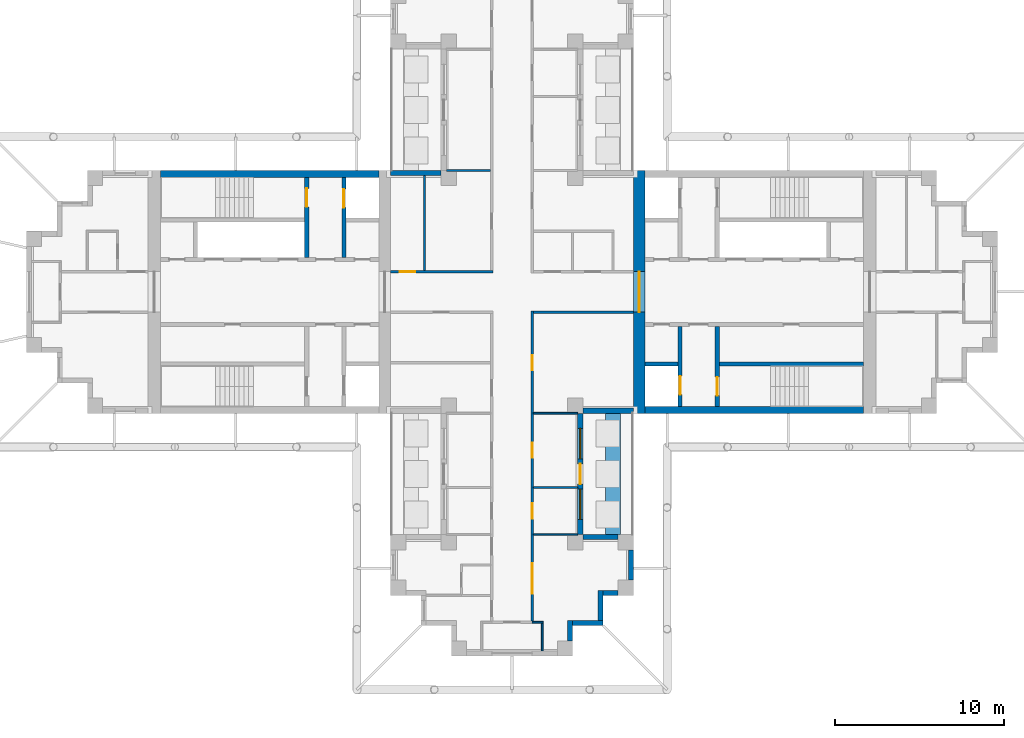
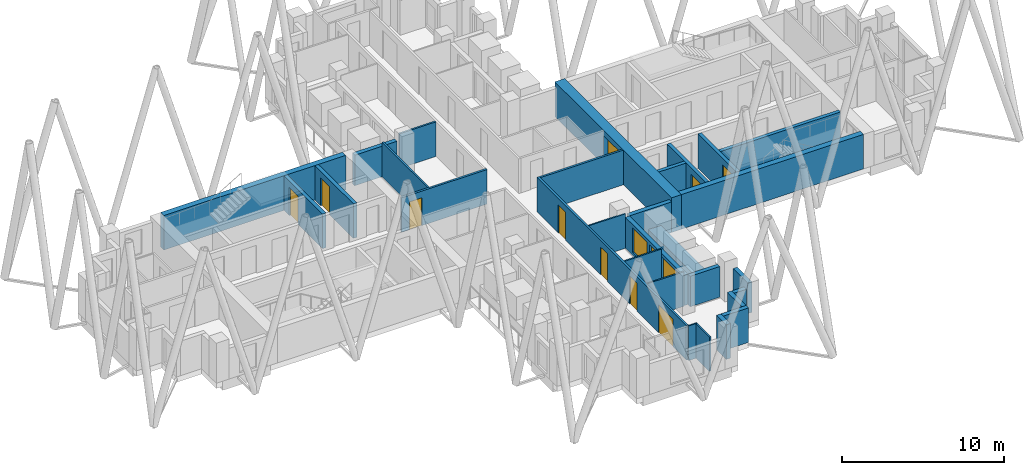
# One storey, part 5 of 11: 29 walls, 11 doors, 2 windows, 13 openings.
"""IFC4 building model written with IfcOpenShell, lengths in metres."""

from ifc_helpers import new_model, si_unit, direction, frame, frame_2d, origin, place, context, subcontext, project, spatial, rectangle, extrude, material, layer, layer_set, type_object, element, fill, save


model = new_model("IFC4")

# Units and contexts
model_context = context("Model", 3, precision=1e-05, world=origin(), true_north=direction((0.0, 1.0)))
body_context = subcontext(model_context, "Body", "Model", "MODEL_VIEW")
ifc_project = project(units=[si_unit("LENGTHUNIT", "METRE"), si_unit("AREAUNIT", "SQUARE_METRE"), si_unit("VOLUMEUNIT", "CUBIC_METRE"), si_unit("PLANEANGLEUNIT", "RADIAN"), si_unit("MASSUNIT", "GRAM", prefix="KILO")], contexts=[model_context])

# Site, building, storey
site_placement = place(None, origin())
site = spatial("IfcSite", under=ifc_project, at=site_placement, CompositionType="ELEMENT")
building_placement = place(site_placement, origin())
building = spatial("IfcBuilding", under=site, at=building_placement, Name="Fustian Cross Tower", CompositionType="ELEMENT")
storey_placement = place(building_placement, frame((0.0, 0.0, 222.89990234375)))
storey = spatial("IfcBuildingStorey", under=building, at=storey_placement, Name="L70", CompositionType="ELEMENT", Elevation=222.89990234375)

# Wall, opening, door
ifc_material_1 = material(Name="Plasterboard on steel stud", Category="steel")
ifc_layer_1 = layer(ifc_material_1, 0.14990234375)
ifc_layer_set_1 = layer_set([ifc_layer_1], Name="Plasterboard on steel stud")
wall_type_1 = type_object("IfcWallType", Name="COMPARTMENT WALL 150 EI 60", PredefinedType="PARTITIONING", material=ifc_layer_set_1)
wall_1_placement = place(storey_placement, frame((-7.199951171875, 1.199951171875, 0.0), z_axis=(0.0, 0.0, 1.0), x_axis=(1.0, 0.0, 0.0)))
wall_1 = element("IfcWall", 1, at=wall_1_placement, inside=storey, type_object=wall_type_1, Name="Partition 13", PredefinedType="PARTITIONING", context=body_context, shape_type="SweptSolid", body=[
    extrude(rectangle(XDim=6.074951171875, YDim=0.14990234375, at=frame_2d((3.03759765625, 0.0))), origin(), (0.0, 0.0, 1.0), 2.60009765625),
])
opening_1_placement = place(wall_1_placement, frame((0.550048828125, 0.0, 0.0)))
opening_1 = element("IfcOpeningElement", 2, at=opening_1_placement, cuts=wall_1, Name="Opening D31005", PredefinedType="OPENING", context=body_context, shape_type="SweptSolid", body=[
    extrude(rectangle(XDim=0.89990234375, YDim=2.10009765625, at=frame_2d((0.449951171875, 1.050048828125))), frame((0.0, 0.0849609375, 0.0), z_axis=(0.0, -1.0, 0.0), x_axis=(1.0, 0.0, 0.0)), (0.0, 0.0, 1.0), 0.169921875),
])
ifc_material_2 = material(Name="Timber fire door set", Category="wood")
door_type_1 = type_object("IfcDoorType", Name="FIRE SWING DOOR 900 FD30S", OperationType="SINGLE_SWING_LEFT", PredefinedType="DOOR", material=ifc_material_2)
door_1_placement = place(opening_1_placement, origin())
door_1 = element("IfcDoor", 3, at=door_1_placement, inside=storey, type_object=door_type_1, Name="Door D31005", OperationType="SINGLE_SWING_LEFT", OverallHeight=2.10009765625, OverallWidth=0.89990234375, PredefinedType="DOOR", context=body_context, shape_type="SweptSolid", body=[
    extrude(rectangle(XDim=0.89990234375, YDim=2.10009765625, at=frame_2d((0.449951171875, 1.050048828125))), frame((0.0, 0.02490234375, 0.0), z_axis=(0.0, -1.0, 0.0), x_axis=(1.0, 0.0, 0.0)), (0.0, 0.0, 1.0), 0.050048828125),
])
fill(opening_1, door_1)

# Wall, openings, doors
wall_2_placement = place(storey_placement, frame((1.199951171875, -19.52490234375, 0.0), z_axis=(0.0, 0.0, 1.0), x_axis=(0.0, 1.0, 0.0)))
wall_2 = element("IfcWall", 4, at=wall_2_placement, inside=storey, type_object=wall_type_1, Name="Partition 33", PredefinedType="PARTITIONING", context=body_context, shape_type="SweptSolid", body=[
    extrude(rectangle(XDim=18.39990234375, YDim=0.14990234375, at=frame_2d((9.199951171875, 0.0))), origin(), (0.0, 0.0, 1.0), 2.60009765625),
])
opening_2_placement = place(wall_2_placement, frame((14.875, 0.0, 0.0)))
opening_2 = element("IfcOpeningElement", 5, at=opening_2_placement, cuts=wall_2, Name="Opening D31006", PredefinedType="OPENING", context=body_context, shape_type="SweptSolid", body=[
    extrude(rectangle(XDim=0.89990234375, YDim=2.10009765625, at=frame_2d((0.449951171875, 1.050048828125))), frame((0.0, 0.0849609375, 0.0), z_axis=(0.0, -1.0, 0.0), x_axis=(1.0, 0.0, 0.0)), (0.0, 0.0, 1.0), 0.169921875),
])
opening_3_placement = place(wall_2_placement, frame((6.074951171875, 0.0, 0.0)))
opening_3 = element("IfcOpeningElement", 6, at=opening_3_placement, cuts=wall_2, Name="Opening D31027", PredefinedType="OPENING", context=body_context, shape_type="SweptSolid", body=[
    extrude(rectangle(XDim=0.89990234375, YDim=2.10009765625, at=frame_2d((0.449951171875, 1.050048828125))), frame((0.0, 0.0849609375, 0.0), z_axis=(0.0, -1.0, 0.0), x_axis=(1.0, 0.0, 0.0)), (0.0, 0.0, 1.0), 0.169921875),
])
opening_4_placement = place(wall_2_placement, frame((9.675048828125, 0.0, 0.0)))
opening_4 = element("IfcOpeningElement", 7, at=opening_4_placement, cuts=wall_2, Name="Opening D31028", PredefinedType="OPENING", context=body_context, shape_type="SweptSolid", body=[
    extrude(rectangle(XDim=0.89990234375, YDim=2.10009765625, at=frame_2d((0.449951171875, 1.050048828125))), frame((0.0, 0.0849609375, 0.0), z_axis=(0.0, -1.0, 0.0), x_axis=(1.0, 0.0, 0.0)), (0.0, 0.0, 1.0), 0.169921875),
])
opening_5_placement = place(wall_2_placement, frame((1.625, 0.0, 0.0)))
opening_5 = element("IfcOpeningElement", 8, at=opening_5_placement, cuts=wall_2, Name="Opening D31029", PredefinedType="OPENING", context=body_context, shape_type="SweptSolid", body=[
    extrude(rectangle(XDim=1.800048828125, YDim=2.10009765625, at=frame_2d((0.89990234375, 1.050048828125))), frame((0.0, 0.0849609375, 0.0), z_axis=(0.0, -1.0, 0.0), x_axis=(1.0, 0.0, 0.0)), (0.0, 0.0, 1.0), 0.169921875),
])
ifc_material_3 = material(Name="Timber fire door set", Category="wood")
door_type_2 = type_object("IfcDoorType", Name="FIRE DOUBLE DOOR 1800 FD30S", OperationType="DOUBLE_DOOR_DOUBLE_SWING", PredefinedType="DOOR", material=ifc_material_3)
door_2_placement = place(opening_5_placement, origin())
door_2 = element("IfcDoor", 9, at=door_2_placement, inside=storey, type_object=door_type_2, Name="Door D31029", OperationType="DOUBLE_DOOR_DOUBLE_SWING", OverallHeight=2.10009765625, OverallWidth=1.800048828125, PredefinedType="DOOR", context=body_context, shape_type="SweptSolid", body=[
    extrude(rectangle(XDim=1.800048828125, YDim=2.10009765625, at=frame_2d((0.89990234375, 1.050048828125))), frame((0.0, 0.02490234375, 0.0), z_axis=(0.0, -1.0, 0.0), x_axis=(1.0, 0.0, 0.0)), (0.0, 0.0, 1.0), 0.050048828125),
])
fill(opening_5, door_2)
door_3_placement = place(opening_2_placement, frame((0.89990234375, 0.0, 0.0), z_axis=(0.0, 0.0, 1.0), x_axis=(-1.0, 0.0, 0.0)))
door_3 = element("IfcDoor", 10, at=door_3_placement, inside=storey, type_object=door_type_1, Name="Door D31006", OperationType="SINGLE_SWING_RIGHT", OverallHeight=2.10009765625, OverallWidth=0.89990234375, PredefinedType="DOOR", context=body_context, shape_type="SweptSolid", body=[
    extrude(rectangle(XDim=0.89990234375, YDim=2.10009765625, at=frame_2d((0.449951171875, 1.050048828125))), frame((0.0, 0.02490234375, 0.0), z_axis=(0.0, -1.0, 0.0), x_axis=(1.0, 0.0, 0.0)), (0.0, 0.0, 1.0), 0.050048828125),
])
fill(opening_2, door_3)
door_4_placement = place(opening_3_placement, frame((0.89990234375, 0.0, 0.0), z_axis=(0.0, 0.0, 1.0), x_axis=(-1.0, 0.0, 0.0)))
door_4 = element("IfcDoor", 11, at=door_4_placement, inside=storey, type_object=door_type_1, Name="Door D31027", OperationType="SINGLE_SWING_RIGHT", OverallHeight=2.10009765625, OverallWidth=0.89990234375, PredefinedType="DOOR", context=body_context, shape_type="SweptSolid", body=[
    extrude(rectangle(XDim=0.89990234375, YDim=2.10009765625, at=frame_2d((0.449951171875, 1.050048828125))), frame((0.0, 0.02490234375, 0.0), z_axis=(0.0, -1.0, 0.0), x_axis=(1.0, 0.0, 0.0)), (0.0, 0.0, 1.0), 0.050048828125),
])
fill(opening_3, door_4)
door_5_placement = place(opening_4_placement, frame((0.89990234375, 0.0, 0.0), z_axis=(0.0, 0.0, 1.0), x_axis=(-1.0, 0.0, 0.0)))
door_5 = element("IfcDoor", 12, at=door_5_placement, inside=storey, type_object=door_type_1, Name="Door D31028", OperationType="SINGLE_SWING_RIGHT", OverallHeight=2.10009765625, OverallWidth=0.89990234375, PredefinedType="DOOR", context=body_context, shape_type="SweptSolid", body=[
    extrude(rectangle(XDim=0.89990234375, YDim=2.10009765625, at=frame_2d((0.449951171875, 1.050048828125))), frame((0.0, 0.02490234375, 0.0), z_axis=(0.0, -1.0, 0.0), x_axis=(1.0, 0.0, 0.0)), (0.0, 0.0, 1.0), 0.050048828125),
])
fill(opening_4, door_5)

# Wall
wall_3_placement = place(storey_placement, frame((1.27490234375, -1.199951171875, 0.0), z_axis=(0.0, 0.0, 1.0), x_axis=(1.0, 0.0, 0.0)))
element("IfcWall", 13, at=wall_3_placement, inside=storey, type_object=wall_type_1, Name="Partition 38", PredefinedType="PARTITIONING", context=body_context, shape_type="SweptSolid", body=[
    extrude(rectangle(XDim=5.925048828125, YDim=0.14990234375, at=frame_2d((2.96240234375, 0.0))), origin(), (0.0, 0.0, 1.0), 2.60009765625),
])

# Wall, opening, door
ifc_material_4 = material(Name="Concrete C50/60", Category="concrete")
ifc_layer_2 = layer(ifc_material_4, 0.699951171875)
ifc_layer_set_2 = layer_set([ifc_layer_2], Name="Concrete C50/60")
wall_type_2 = type_object("IfcWallType", Name="CORE END WALL 700 C50/60", PredefinedType="SHEAR", material=ifc_layer_set_2)
wall_4_placement = place(storey_placement, frame((7.550048828125, -7.199951171875, 0.0), z_axis=(0.0, 0.0, 1.0), x_axis=(0.0, 1.0, 0.0)))
wall_4 = element("IfcWall", 14, at=wall_4_placement, inside=storey, type_object=wall_type_2, Name="Core end wall", PredefinedType="SHEAR", context=body_context, shape_type="SweptSolid", body=[
    extrude(rectangle(XDim=14.39990234375, YDim=0.699951171875, at=frame_2d((7.199951171875, 0.0))), origin(), (0.0, 0.0, 1.0), 2.60009765625),
])
opening_6_placement = place(wall_4_placement, frame((6.0, 0.0, 0.0)))
opening_6 = element("IfcOpeningElement", 15, at=opening_6_placement, cuts=wall_4, Name="Opening CD-29-12", PredefinedType="OPENING", context=body_context, shape_type="SweptSolid", body=[
    extrude(rectangle(XDim=2.39990234375, YDim=2.199951171875, at=frame_2d((1.199951171875, 1.10009765625))), frame((0.0, 0.35986328125, 0.0), z_axis=(0.0, -1.0, 0.0), x_axis=(1.0, 0.0, 0.0)), (0.0, 0.0, 1.0), 0.719970703125),
])
ifc_material_5 = material(Name="Steel", Category="steel")
door_type_3 = type_object("IfcDoorType", Name="FIRE DOOR FD30S DOUBLE 2400X2200", OperationType="DOUBLE_DOOR_DOUBLE_SWING", PredefinedType="DOOR", material=ifc_material_5)
door_6_placement = place(opening_6_placement, frame((2.39990234375, 0.0, 0.0), z_axis=(0.0, 0.0, 1.0), x_axis=(-1.0, 0.0, 0.0)))
door_6 = element("IfcDoor", 16, at=door_6_placement, inside=storey, type_object=door_type_3, Name="Core door CD-29-12", OperationType="DOUBLE_DOOR_DOUBLE_SWING", OverallHeight=2.199951171875, OverallWidth=2.39990234375, PredefinedType="DOOR", context=body_context, shape_type="SweptSolid", body=[
    extrude(rectangle(XDim=2.39990234375, YDim=2.199951171875, at=frame_2d((1.199951171875, 1.10009765625))), frame((0.0, 0.02490234375, 0.0), z_axis=(0.0, -1.0, 0.0), x_axis=(1.0, 0.0, 0.0)), (0.0, 0.0, 1.0), 0.050048828125),
])
fill(opening_6, door_6)

# Walls
ifc_material_6 = material(Name="Concrete C50/60", Category="concrete")
ifc_layer_3 = layer(ifc_material_6, 0.39990234375)
ifc_layer_set_3 = layer_set([ifc_layer_3], Name="Concrete C50/60")
wall_type_3 = type_object("IfcWallType", Name="CORE FACADE WALL 400 C50/60", PredefinedType="SHEAR", material=ifc_layer_set_3)
for number, where, z_axis, x_axis, name in (
    (17, (7.89990234375, -7.0, 0.0), (0.0, 0.0, 1.0), (1.0, 0.0, 0.0), "Core facade wall"),
    (18, (-7.89990234375, 7.0, 0.0), (0.0, 0.0, 1.0), (-1.0, 0.0, 0.0), "Core facade wall"),
):
    element("IfcWall", number, at=place(storey_placement, frame(where, z_axis=z_axis, x_axis=x_axis)), inside=storey, type_object=wall_type_3, Name=name, PredefinedType="SHEAR", context=body_context, shape_type="SweptSolid", body=[
        extrude(rectangle(XDim=12.9501953125, YDim=0.39990234375, at=frame_2d((6.47509765625, 0.0))), origin(), (0.0, 0.0, 1.0), 2.60009765625),
    ])
ifc_material_7 = material(Name="Concrete C50/60", Category="concrete")
ifc_layer_4 = layer(ifc_material_7, 0.25)
ifc_layer_set_4 = layer_set([ifc_layer_4], Name="Concrete C50/60")
wall_type_4 = type_object("IfcWallType", Name="CORE SHAFT WALL 250 C50/60", PredefinedType="SHEAR", material=ifc_layer_set_4)
wall_5_placement = place(storey_placement, frame((7.89990234375, -4.27490234375, 0.0), z_axis=(0.0, 0.0, 1.0), x_axis=(1.0, 0.0, 0.0)))
element("IfcWall", 19, at=wall_5_placement, inside=storey, type_object=wall_type_4, Name="Core shaft wall", PredefinedType="SHEAR", context=body_context, shape_type="SweptSolid", body=[
    extrude(rectangle(XDim=1.9501953125, YDim=0.25, at=frame_2d((0.97509765625, 0.0))), origin(), (0.0, 0.0, 1.0), 2.60009765625),
])
wall_6_placement = place(storey_placement, frame((12.300048828125, -4.27490234375, 0.0), z_axis=(0.0, 0.0, 1.0), x_axis=(1.0, 0.0, 0.0)))
element("IfcWall", 20, at=wall_6_placement, inside=storey, type_object=wall_type_4, Name="Core shaft wall", PredefinedType="SHEAR", context=body_context, shape_type="SweptSolid", body=[
    extrude(rectangle(XDim=8.550048828125, YDim=0.25, at=frame_2d((4.27490234375, 0.0))), origin(), (0.0, 0.0, 1.0), 2.60009765625),
])

# Wall, opening, door
wall_7_placement = place(storey_placement, frame((9.97509765625, -2.050048828125, 0.0), z_axis=(0.0, 0.0, 1.0), x_axis=(0.0, -1.0, 0.0)))
wall_7 = element("IfcWall", 21, at=wall_7_placement, inside=storey, type_object=wall_type_4, Name="Core shaft wall", PredefinedType="SHEAR", context=body_context, shape_type="SweptSolid", body=[
    extrude(rectangle(XDim=4.75, YDim=0.25, at=frame_2d((2.375, 0.0))), origin(), (0.0, 0.0, 1.0), 2.60009765625),
])
opening_7_placement = place(wall_7_placement, frame((2.949951171875, 0.0, 0.0)))
opening_7 = element("IfcOpeningElement", 22, at=opening_7_placement, cuts=wall_7, Name="Opening LD", PredefinedType="OPENING", context=body_context, shape_type="SweptSolid", body=[
    extrude(rectangle(XDim=1.10009765625, YDim=2.10009765625, at=frame_2d((0.550048828125, 1.050048828125))), frame((0.0, 0.135009765625, 0.0), z_axis=(0.0, -1.0, 0.0), x_axis=(1.0, 0.0, 0.0)), (0.0, 0.0, 1.0), 0.27001953125),
])
ifc_material_8 = material(Name="Stainless steel", Category="steel")
door_type_4 = type_object("IfcDoorType", Name="LIFT LANDING DOOR 1100X2100", OperationType="SLIDING_TO_LEFT", PredefinedType="DOOR", material=ifc_material_8)
door_7_placement = place(opening_7_placement, origin())
door_7 = element("IfcDoor", 23, at=door_7_placement, inside=storey, type_object=door_type_4, Name="Landing door SV1", OperationType="SLIDING_TO_LEFT", OverallHeight=2.10009765625, OverallWidth=1.10009765625, PredefinedType="DOOR", context=body_context, shape_type="SweptSolid", body=[
    extrude(rectangle(XDim=1.10009765625, YDim=2.10009765625, at=frame_2d((0.550048828125, 1.050048828125))), frame((0.0, 0.02490234375, 0.0), z_axis=(0.0, -1.0, 0.0), x_axis=(1.0, 0.0, 0.0)), (0.0, 0.0, 1.0), 0.050048828125),
])
fill(opening_7, door_7)

wall_8_placement = place(storey_placement, frame((12.175048828125, -2.050048828125, 0.0), z_axis=(0.0, 0.0, 1.0), x_axis=(0.0, -1.0, 0.0)))
wall_8 = element("IfcWall", 24, at=wall_8_placement, inside=storey, type_object=wall_type_4, Name="Core shaft wall", PredefinedType="SHEAR", context=body_context, shape_type="SweptSolid", body=[
    extrude(rectangle(XDim=4.75, YDim=0.25, at=frame_2d((2.375, 0.0))), origin(), (0.0, 0.0, 1.0), 2.60009765625),
])
opening_8_placement = place(wall_8_placement, frame((3.0, 0.0, 0.0)))
opening_8 = element("IfcOpeningElement", 25, at=opening_8_placement, cuts=wall_8, Name="Opening CD-29-07", PredefinedType="OPENING", context=body_context, shape_type="SweptSolid", body=[
    extrude(rectangle(XDim=1.10009765625, YDim=2.10009765625, at=frame_2d((0.550048828125, 1.050048828125))), frame((0.0, 0.135009765625, 0.0), z_axis=(0.0, -1.0, 0.0), x_axis=(1.0, 0.0, 0.0)), (0.0, 0.0, 1.0), 0.27001953125),
])
ifc_material_9 = material(Name="Steel", Category="steel")
door_type_5 = type_object("IfcDoorType", Name="FIRE DOOR FD60S 1100X2100", OperationType="SINGLE_SWING_LEFT", PredefinedType="DOOR", material=ifc_material_9)
door_8_placement = place(opening_8_placement, origin())
door_8 = element("IfcDoor", 26, at=door_8_placement, inside=storey, type_object=door_type_5, Name="Core door CD-29-07", OperationType="SINGLE_SWING_LEFT", OverallHeight=2.10009765625, OverallWidth=1.10009765625, PredefinedType="DOOR", context=body_context, shape_type="SweptSolid", body=[
    extrude(rectangle(XDim=1.10009765625, YDim=2.10009765625, at=frame_2d((0.550048828125, 1.050048828125))), frame((0.0, 0.02490234375, 0.0), z_axis=(0.0, -1.0, 0.0), x_axis=(1.0, 0.0, 0.0)), (0.0, 0.0, 1.0), 0.050048828125),
])
fill(opening_8, door_8)

wall_9_placement = place(storey_placement, frame((-9.97509765625, 2.050048828125, 0.0), z_axis=(0.0, 0.0, 1.0), x_axis=(0.0, 1.0, 0.0)))
wall_9 = element("IfcWall", 27, at=wall_9_placement, inside=storey, type_object=wall_type_4, Name="Core shaft wall", PredefinedType="SHEAR", context=body_context, shape_type="SweptSolid", body=[
    extrude(rectangle(XDim=4.75, YDim=0.25, at=frame_2d((2.375, 0.0))), origin(), (0.0, 0.0, 1.0), 2.60009765625),
])
opening_9_placement = place(wall_9_placement, frame((2.949951171875, 0.0, 0.0)))
opening_9 = element("IfcOpeningElement", 28, at=opening_9_placement, cuts=wall_9, Name="Opening LD", PredefinedType="OPENING", context=body_context, shape_type="SweptSolid", body=[
    extrude(rectangle(XDim=1.10009765625, YDim=2.10009765625, at=frame_2d((0.550048828125, 1.050048828125))), frame((0.0, 0.135009765625, 0.0), z_axis=(0.0, -1.0, 0.0), x_axis=(1.0, 0.0, 0.0)), (0.0, 0.0, 1.0), 0.27001953125),
])
door_9_placement = place(opening_9_placement, origin())
door_9 = element("IfcDoor", 29, at=door_9_placement, inside=storey, type_object=door_type_4, Name="Landing door FL1W", OperationType="SLIDING_TO_LEFT", OverallHeight=2.10009765625, OverallWidth=1.10009765625, PredefinedType="DOOR", context=body_context, shape_type="SweptSolid", body=[
    extrude(rectangle(XDim=1.10009765625, YDim=2.10009765625, at=frame_2d((0.550048828125, 1.050048828125))), frame((0.0, 0.02490234375, 0.0), z_axis=(0.0, -1.0, 0.0), x_axis=(1.0, 0.0, 0.0)), (0.0, 0.0, 1.0), 0.050048828125),
])
fill(opening_9, door_9)

wall_10_placement = place(storey_placement, frame((-12.175048828125, 2.050048828125, 0.0), z_axis=(0.0, 0.0, 1.0), x_axis=(0.0, 1.0, 0.0)))
wall_10 = element("IfcWall", 30, at=wall_10_placement, inside=storey, type_object=wall_type_4, Name="Core shaft wall", PredefinedType="SHEAR", context=body_context, shape_type="SweptSolid", body=[
    extrude(rectangle(XDim=4.75, YDim=0.25, at=frame_2d((2.375, 0.0))), origin(), (0.0, 0.0, 1.0), 2.60009765625),
])
opening_10_placement = place(wall_10_placement, frame((3.0, 0.0, 0.0)))
opening_10 = element("IfcOpeningElement", 31, at=opening_10_placement, cuts=wall_10, Name="Opening CD-29-21", PredefinedType="OPENING", context=body_context, shape_type="SweptSolid", body=[
    extrude(rectangle(XDim=1.10009765625, YDim=2.10009765625, at=frame_2d((0.550048828125, 1.050048828125))), frame((0.0, 0.135009765625, 0.0), z_axis=(0.0, -1.0, 0.0), x_axis=(1.0, 0.0, 0.0)), (0.0, 0.0, 1.0), 0.27001953125),
])
door_10_placement = place(opening_10_placement, origin())
door_10 = element("IfcDoor", 32, at=door_10_placement, inside=storey, type_object=door_type_5, Name="Core door CD-29-21", OperationType="SINGLE_SWING_LEFT", OverallHeight=2.10009765625, OverallWidth=1.10009765625, PredefinedType="DOOR", context=body_context, shape_type="SweptSolid", body=[
    extrude(rectangle(XDim=1.10009765625, YDim=2.10009765625, at=frame_2d((0.550048828125, 1.050048828125))), frame((0.0, 0.02490234375, 0.0), z_axis=(0.0, -1.0, 0.0), x_axis=(1.0, 0.0, 0.0)), (0.0, 0.0, 1.0), 0.050048828125),
])
fill(opening_10, door_10)

# Walls
ifc_material_10 = material(Name="Plasterboard on steel stud", Category="steel")
ifc_layer_5 = layer(ifc_material_10, 0.10009765625)
ifc_layer_set_5 = layer_set([ifc_layer_5], Name="Plasterboard on steel stud")
wall_type_5 = type_object("IfcWallType", Name="PARTITION 100 STUD", PredefinedType="PARTITIONING", material=ifc_layer_set_5)
wall_11_placement = place(storey_placement, frame((1.199951171875, -19.60009765625, 0.0), z_axis=(0.0, 0.0, 1.0), x_axis=(1.0, 0.0, 0.0)))
element("IfcWall", 33, at=wall_11_placement, inside=storey, type_object=wall_type_5, Name="Partition 34", PredefinedType="PARTITIONING", context=body_context, shape_type="SweptSolid", body=[
    extrude(rectangle(XDim=0.650146484375, YDim=0.10009765625, at=frame_2d((0.3251953125, 0.0))), origin(), (0.0, 0.0, 1.0), 2.60009765625),
])
for number, where, z_axis, x_axis, name in (
    (34, (1.27490234375, -14.39990234375, 0.0), (0.0, 0.0, 1.0), (1.0, 0.0, 0.0), "Partition 35"),
    (35, (1.27490234375, -11.60009765625, 0.0), (0.0, 0.0, 1.0), (1.0, 0.0, 0.0), "Partition 36"),
    (36, (1.27490234375, -7.199951171875, 0.0), (0.0, 0.0, 1.0), (1.0, 0.0, 0.0), "Partition 37"),
):
    element("IfcWall", number, at=place(storey_placement, frame(where, z_axis=z_axis, x_axis=x_axis)), inside=storey, type_object=wall_type_5, Name=name, PredefinedType="PARTITIONING", context=body_context, shape_type="SweptSolid", body=[
        extrude(rectangle(XDim=2.625, YDim=0.10009765625, at=frame_2d((1.3125, 0.0))), origin(), (0.0, 0.0, 1.0), 2.60009765625),
    ])
wall_12_placement = place(storey_placement, frame((1.800048828125, -21.300048828125, 0.0), z_axis=(0.0, 0.0, 1.0), x_axis=(0.0, 1.0, 0.0)))
element("IfcWall", 37, at=wall_12_placement, inside=storey, type_object=wall_type_5, Name="Partition 46", PredefinedType="PARTITIONING", context=body_context, shape_type="SweptSolid", body=[
    extrude(rectangle(XDim=1.650146484375, YDim=0.10009765625, at=frame_2d((0.8251953125, 0.0))), origin(), (0.0, 0.0, 1.0), 2.60009765625),
])
ifc_material_11 = material(Name="Concrete C40/50", Category="concrete")
ifc_layer_6 = layer(ifc_material_11, 0.89990234375)
ifc_layer_set_6 = layer_set([ifc_layer_6], Name="Concrete C40/50")
wall_type_6 = type_object("IfcWallType", Name="PK1 PLANTER 900", PredefinedType="PARAPET", material=ifc_layer_set_6)
wall_13_placement = place(storey_placement, frame((6.0, -14.39990234375, 0.0), z_axis=(0.0, 0.0, 1.0), x_axis=(0.0, 1.0, 0.0)))
element("IfcWall", 38, at=wall_13_placement, inside=storey, type_object=wall_type_6, Name="PLANTER", PredefinedType="PARAPET", context=body_context, shape_type="SweptSolid", body=[
    extrude(rectangle(XDim=7.199951171875, YDim=0.89990234375, at=frame_2d((3.60009765625, 0.0))), origin(), (0.0, 0.0, 1.0), 0.800048828125),
])
ifc_material_12 = material(Name="Plasterboard on steel stud", Category="steel")
ifc_layer_7 = layer(ifc_material_12, 0.125)
ifc_layer_set_7 = layer_set([ifc_layer_7], Name="Plasterboard on steel stud")
wall_type_7 = type_object("IfcWallType", Name="WET WALL 125 STUD", PredefinedType="PARTITIONING", material=ifc_layer_set_7)
wall_14_placement = place(storey_placement, frame((-5.199951171875, 1.27490234375, 0.0), z_axis=(0.0, 0.0, 1.0), x_axis=(0.0, 1.0, 0.0)))
element("IfcWall", 39, at=wall_14_placement, inside=storey, type_object=wall_type_7, Name="Partition 14", PredefinedType="PARTITIONING", context=body_context, shape_type="SweptSolid", body=[
    extrude(rectangle(XDim=5.625, YDim=0.125, at=frame_2d((2.8125, 0.0))), origin(), (0.0, 0.0, 1.0), 2.60009765625),
])
wall_15_placement = place(storey_placement, frame((-3.89990234375, 7.199951171875, 0.0), z_axis=(0.0, 0.0, 1.0), x_axis=(1.0, 0.0, 0.0)))
element("IfcWall", 40, at=wall_15_placement, inside=storey, type_object=wall_type_7, Name="Partition 20", PredefinedType="PARTITIONING", context=body_context, shape_type="SweptSolid", body=[
    extrude(rectangle(XDim=2.625, YDim=0.125, at=frame_2d((1.3125, 0.0))), origin(), (0.0, 0.0, 1.0), 2.60009765625),
])
ifc_material_13 = material(Name="Dark aluminium cladding on insulated backing wall", Category="aluminium")
ifc_layer_8 = layer(ifc_material_13, 0.300048828125)
ifc_layer_set_8 = layer_set([ifc_layer_8], Name="Dark aluminium cladding on insulated backing wall")
wall_type_8 = type_object("IfcWallType", Name="XW1 EXTERNAL WALL 300", PredefinedType="SOLIDWALL", material=ifc_layer_set_8)
wall_16_placement = place(storey_placement, frame((-4.199951171875, 7.050048828125, 0.0), z_axis=(0.0, 0.0, 1.0), x_axis=(-1.0, 0.0, 0.0)))
element("IfcWall", 41, at=wall_16_placement, inside=storey, type_object=wall_type_8, Name="External wall", PredefinedType="SOLIDWALL", context=body_context, shape_type="SweptSolid", body=[
    extrude(rectangle(XDim=3.0, YDim=0.300048828125, at=frame_2d((1.5, 0.0))), origin(), (0.0, 0.0, 1.0), 2.300048828125),
])
wall_17_placement = place(storey_placement, frame((3.449951171875, -20.699951171875, 0.0), z_axis=(0.0, 0.0, 1.0), x_axis=(0.0, 1.0, 0.0)))
element("IfcWall", 42, at=wall_17_placement, inside=storey, type_object=wall_type_8, Name="External wall", PredefinedType="SOLIDWALL", context=body_context, shape_type="SweptSolid", body=[
    extrude(rectangle(XDim=1.199951171875, YDim=0.300048828125, at=frame_2d((0.60009765625, 0.0))), origin(), (0.0, 0.0, 1.0), 2.60009765625),
])
wall_18_placement = place(storey_placement, frame((3.60009765625, -19.64990234375, 0.0), z_axis=(0.0, 0.0, 1.0), x_axis=(1.0, 0.0, 0.0)))
element("IfcWall", 43, at=wall_18_placement, inside=storey, type_object=wall_type_8, Name="External wall", PredefinedType="SOLIDWALL", context=body_context, shape_type="SweptSolid", body=[
    extrude(rectangle(XDim=1.7998046875, YDim=0.300048828125, at=frame_2d((0.89990234375, 0.0))), origin(), (0.0, 0.0, 1.0), 2.60009765625),
])
wall_19_placement = place(storey_placement, frame((5.25, -19.5, 0.0), z_axis=(0.0, 0.0, 1.0), x_axis=(0.0, 1.0, 0.0)))
element("IfcWall", 44, at=wall_19_placement, inside=storey, type_object=wall_type_8, Name="External wall", PredefinedType="SOLIDWALL", context=body_context, shape_type="SweptSolid", body=[
    extrude(rectangle(XDim=1.800048828125, YDim=0.300048828125, at=frame_2d((0.89990234375, 0.0))), origin(), (0.0, 0.0, 1.0), 2.60009765625),
])
wall_20_placement = place(storey_placement, frame((5.39990234375, -17.85009765625, 0.0), z_axis=(0.0, 0.0, 1.0), x_axis=(1.0, 0.0, 0.0)))
element("IfcWall", 45, at=wall_20_placement, inside=storey, type_object=wall_type_8, Name="External wall", PredefinedType="SOLIDWALL", context=body_context, shape_type="SweptSolid", body=[
    extrude(rectangle(XDim=0.900146484375, YDim=0.300048828125, at=frame_2d((0.4501953125, 0.0))), origin(), (0.0, 0.0, 1.0), 2.60009765625),
])
wall_21_placement = place(storey_placement, frame((7.050048828125, -17.10009765625, 0.0), z_axis=(0.0, 0.0, 1.0), x_axis=(0.0, 1.0, 0.0)))
element("IfcWall", 46, at=wall_21_placement, inside=storey, type_object=wall_type_8, Name="External wall", PredefinedType="SOLIDWALL", context=body_context, shape_type="SweptSolid", body=[
    extrude(rectangle(XDim=1.800048828125, YDim=0.300048828125, at=frame_2d((0.89990234375, 0.0))), origin(), (0.0, 0.0, 1.0), 2.300048828125),
])
wall_22_placement = place(storey_placement, frame((6.300048828125, -14.550048828125, 0.0), z_axis=(0.0, 0.0, 1.0), x_axis=(-1.0, 0.0, 0.0)))
element("IfcWall", 47, at=wall_22_placement, inside=storey, type_object=wall_type_8, Name="External wall", PredefinedType="SOLIDWALL", context=body_context, shape_type="SweptSolid", body=[
    extrude(rectangle(XDim=2.10009765625, YDim=0.300048828125, at=frame_2d((1.050048828125, 0.0))), origin(), (0.0, 0.0, 1.0), 2.300048828125),
])

# Wall, openings, door, windows
wall_23_placement = place(storey_placement, frame((4.050048828125, -14.39990234375, 0.0), z_axis=(0.0, 0.0, 1.0), x_axis=(0.0, 1.0, 0.0)))
wall_23 = element("IfcWall", 48, at=wall_23_placement, inside=storey, type_object=wall_type_8, Name="External wall", PredefinedType="SOLIDWALL", context=body_context, shape_type="SweptSolid", body=[
    extrude(rectangle(XDim=7.199951171875, YDim=0.300048828125, at=frame_2d((3.60009765625, 0.0))), origin(), (0.0, 0.0, 1.0), 2.300048828125),
])
opening_11_placement = place(wall_23_placement, frame((3.0, 0.0, 0.0)))
opening_11 = element("IfcOpeningElement", 49, at=opening_11_placement, cuts=wall_23, Name="Opening XD3", PredefinedType="OPENING", context=body_context, shape_type="SweptSolid", body=[
    extrude(rectangle(XDim=1.199951171875, YDim=2.050048828125, at=frame_2d((0.60009765625, 1.02490234375))), frame((0.0, 0.159912109375, 0.0), z_axis=(0.0, -1.0, 0.0), x_axis=(1.0, 0.0, 0.0)), (0.0, 0.0, 1.0), 0.320068359375),
])
opening_12_placement = place(wall_23_placement, frame((0.89990234375, 0.0, 0.199951171875)))
opening_12 = element("IfcOpeningElement", 50, at=opening_12_placement, cuts=wall_23, Name="Opening WN2", PredefinedType="OPENING", context=body_context, shape_type="SweptSolid", body=[
    extrude(rectangle(XDim=1.800048828125, YDim=1.85009765625, at=frame_2d((0.89990234375, 0.925048828125))), frame((0.0, 0.159912109375, 0.0), z_axis=(0.0, -1.0, 0.0), x_axis=(1.0, 0.0, 0.0)), (0.0, 0.0, 1.0), 0.320068359375),
])
opening_13_placement = place(wall_23_placement, frame((4.5, 0.0, 0.199951171875)))
opening_13 = element("IfcOpeningElement", 51, at=opening_13_placement, cuts=wall_23, Name="Opening WN2", PredefinedType="OPENING", context=body_context, shape_type="SweptSolid", body=[
    extrude(rectangle(XDim=1.800048828125, YDim=1.85009765625, at=frame_2d((0.89990234375, 0.925048828125))), frame((0.0, 0.159912109375, 0.0), z_axis=(0.0, -1.0, 0.0), x_axis=(1.0, 0.0, 0.0)), (0.0, 0.0, 1.0), 0.320068359375),
])
ifc_material_14 = material(Name="Dark anodised aluminium and double glazing", Category="aluminium")
door_type_6 = type_object("IfcDoorType", Name="ED1 BALCONY DOOR 1200X2050", OperationType="SINGLE_SWING_LEFT", PredefinedType="DOOR", material=ifc_material_14)
door_11_placement = place(opening_11_placement, origin())
door_11 = element("IfcDoor", 52, at=door_11_placement, inside=storey, type_object=door_type_6, Name="Balcony door", OperationType="SINGLE_SWING_LEFT", OverallHeight=2.050048828125, OverallWidth=1.199951171875, PredefinedType="DOOR", context=body_context, shape_type="SweptSolid", body=[
    extrude(rectangle(XDim=1.199951171875, YDim=2.050048828125, at=frame_2d((0.60009765625, 1.02490234375))), frame((0.0, 0.02490234375, 0.0), z_axis=(0.0, -1.0, 0.0), x_axis=(1.0, 0.0, 0.0)), (0.0, 0.0, 1.0), 0.050048828125),
])
fill(opening_11, door_11)
ifc_material_15 = material(Name="Dark anodised aluminium and double glazing", Category="aluminium")
window_type = type_object("IfcWindowType", Name="WN2 WINDOW 1800X1850", PartitioningType="SINGLE_PANEL", PredefinedType="WINDOW", material=ifc_material_15)
window_1_placement = place(opening_12_placement, origin())
window_1 = element("IfcWindow", 53, at=window_1_placement, inside=storey, type_object=window_type, Name="Window", OverallHeight=1.85009765625, OverallWidth=1.800048828125, PartitioningType="SINGLE_PANEL", PredefinedType="WINDOW", context=body_context, shape_type="SweptSolid", body=[
    extrude(rectangle(XDim=1.800048828125, YDim=1.85009765625, at=frame_2d((0.89990234375, 0.925048828125))), frame((0.0, 0.030029296875, 0.0), z_axis=(0.0, -1.0, 0.0), x_axis=(1.0, 0.0, 0.0)), (0.0, 0.0, 1.0), 0.06005859375),
])
fill(opening_12, window_1)
window_2_placement = place(opening_13_placement, origin())
window_2 = element("IfcWindow", 54, at=window_2_placement, inside=storey, type_object=window_type, Name="Window", OverallHeight=1.85009765625, OverallWidth=1.800048828125, PartitioningType="SINGLE_PANEL", PredefinedType="WINDOW", context=body_context, shape_type="SweptSolid", body=[
    extrude(rectangle(XDim=1.800048828125, YDim=1.85009765625, at=frame_2d((0.89990234375, 0.925048828125))), frame((0.0, 0.030029296875, 0.0), z_axis=(0.0, -1.0, 0.0), x_axis=(1.0, 0.0, 0.0)), (0.0, 0.0, 1.0), 0.06005859375),
])
fill(opening_13, window_2)

# Wall
wall_24_placement = place(storey_placement, frame((4.199951171875, -7.050048828125, 0.0), z_axis=(0.0, 0.0, 1.0), x_axis=(1.0, 0.0, 0.0)))
element("IfcWall", 55, at=wall_24_placement, inside=storey, type_object=wall_type_8, Name="External wall", PredefinedType="SOLIDWALL", context=body_context, shape_type="SweptSolid", body=[
    extrude(rectangle(XDim=3.0, YDim=0.300048828125, at=frame_2d((1.5, 0.0))), origin(), (0.0, 0.0, 1.0), 2.300048828125),
])

save(model, "model.ifc")
